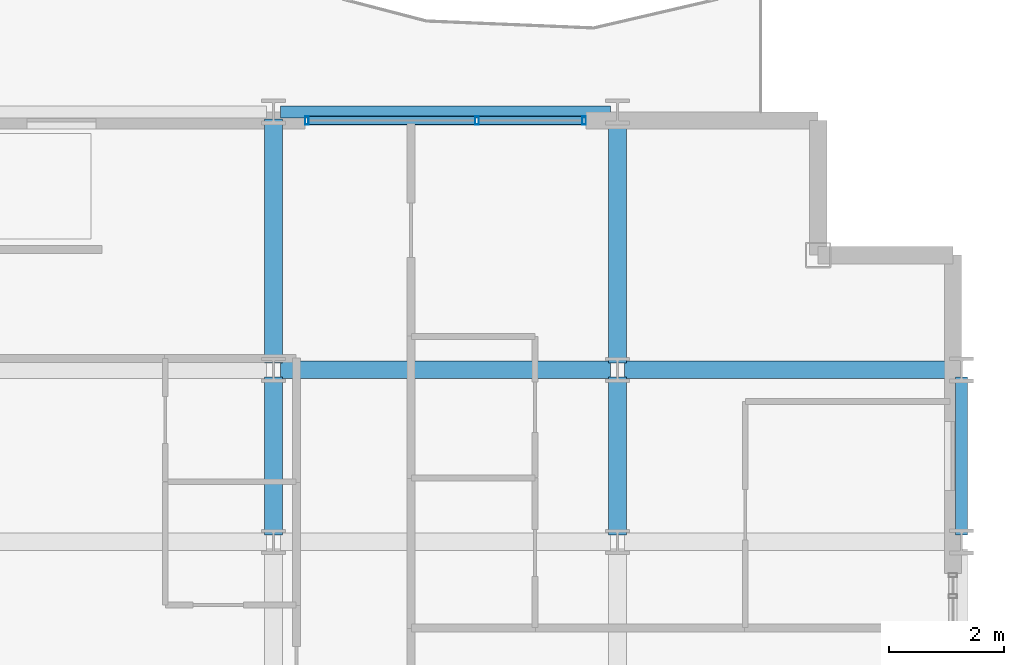
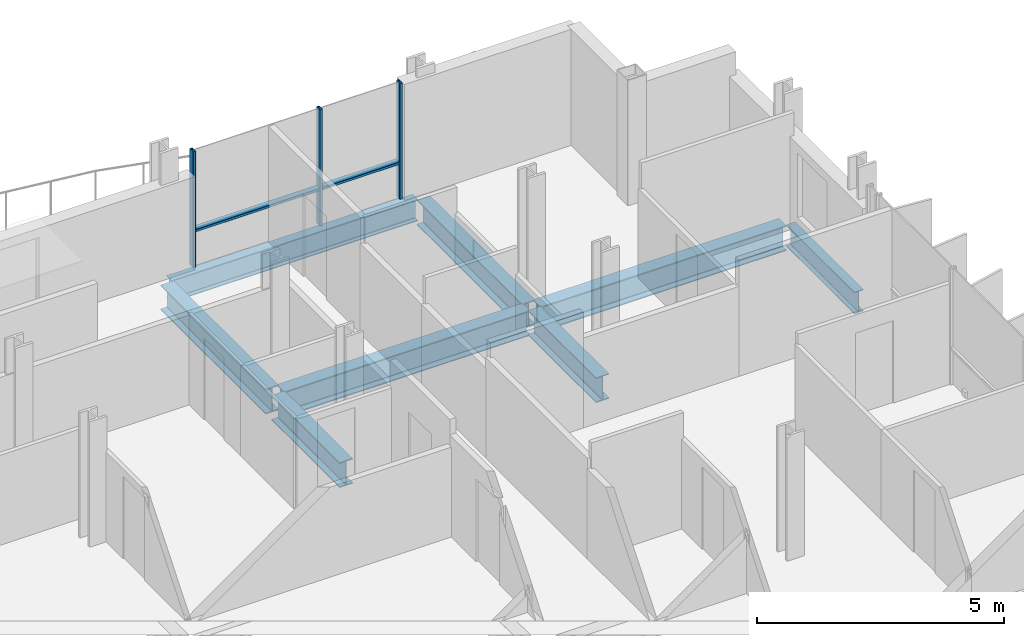
# One storey, part 20 of 38: 8 beams, 5 members, 1 element without a shape of its own.
"""IFC4 building model written with IfcOpenShell, lengths in metres."""

from ifc_helpers import new_model, si_unit, direction, frame, origin, origin_2d, place, context, subcontext, project, spatial, hollow_rectangle, i_section, extrude, material, layer, layer_set, material_profile, profile_set, type_object, element, aggregate, save


model = new_model("IFC4")

# Units and contexts
model_context = context("Model", 3, precision=1e-05, world=origin(), true_north=direction((0.0, 1.0)))
body_context = subcontext(model_context, "Body", "Model", "MODEL_VIEW")
ifc_project = project(units=[si_unit("LENGTHUNIT", "METRE"), si_unit("AREAUNIT", "SQUARE_METRE"), si_unit("VOLUMEUNIT", "CUBIC_METRE"), si_unit("PLANEANGLEUNIT", "RADIAN"), si_unit("MASSUNIT", "GRAM", prefix="KILO")], contexts=[model_context])

# Site, building, storey
site_placement = place(None, origin())
site = spatial("IfcSite", under=ifc_project, at=site_placement, CompositionType="ELEMENT")
building_placement = place(site_placement, origin())
building = spatial("IfcBuilding", under=site, at=building_placement, Name="Brevholm Reach", CompositionType="ELEMENT")
storey_placement = place(building_placement, frame((0.0, 0.0, 65.199951171875)))
storey = spatial("IfcBuildingStorey", under=building, at=storey_placement, Name="L18", CompositionType="ELEMENT", Elevation=65.199951171875)

# Beams
ifc_material_1 = material(Name="Structural Steel S355J2", Category="steel")
ifc_material_profile_1 = material_profile(ifc_material_1, i_section(OverallWidth=0.210693359375, OverallDepth=0.53955078125, WebThickness=0.01171875, FlangeThickness=0.018798828125, FilletRadius=0.0126953125, at=origin_2d()), Name="UKB 533x210x109")
ifc_profile_set_1 = profile_set([ifc_material_profile_1], Name="Structural Steel S355J2")
beam_type_1 = type_object("IfcBeamType", Name="BM-SP539", PredefinedType="SPANDREL", material=ifc_profile_set_1)
beam_1_placement = place(storey_placement, frame((48.1201171875, 31.0, -0.499755859375), z_axis=(1.0, 0.0, 0.0), x_axis=(0.0, 1.0, 0.0)))
element("IfcBeam", 1, at=beam_1_placement, inside=storey, type_object=beam_type_1, Name="L18 SP-01B Framing Beam", PredefinedType="SPANDREL", context=body_context, shape_type="SweptSolid", body=[
    extrude(i_section(OverallWidth=0.210693359375, OverallDepth=0.53955078125, WebThickness=0.01171875, FlangeThickness=0.018798828125, FilletRadius=0.0126953125, at=origin_2d()), origin(), (0.0, 0.0, 1.0), 5.759765625),
])
beam_2_placement = place(storey_placement, frame((60.0, 23.6201171875, -0.499755859375), z_axis=(0.0, 1.0, 0.0), x_axis=(-1.0, 0.0, 0.0)))
element("IfcBeam", 2, at=beam_2_placement, inside=storey, type_object=beam_type_1, Name="L18 SP-01B Framing Beam", PredefinedType="SPANDREL", context=body_context, shape_type="SweptSolid", body=[
    extrude(i_section(OverallWidth=0.210693359375, OverallDepth=0.53955078125, WebThickness=0.01171875, FlangeThickness=0.018798828125, FilletRadius=0.0126953125, at=origin_2d()), origin(), (0.0, 0.0, 1.0), 2.759765625),
])
ifc_material_2 = material(Name="Structural Steel S355J2", Category="steel")
ifc_material_profile_2 = material_profile(ifc_material_2, i_section(OverallWidth=0.30712890625, OverallDepth=0.6201171875, WebThickness=0.01416015625, FlangeThickness=0.023681640625, FilletRadius=0.0166015625, at=origin_2d()), Name="UKB 610x305x179")
ifc_profile_set_2 = profile_set([ifc_material_profile_2], Name="Structural Steel S355J2")
beam_type_2 = type_object("IfcBeamType", Name="BM-UKB610H", PredefinedType="USERDEFINED", material=ifc_profile_set_2)
for number, where, z_axis, x_axis, name in (
    (3, (48.1201171875, 26.5, -0.5400390625), (1.0, 0.0, 0.0), (0.0, 1.0, 0.0), "L18 G-06 Framing Beam"),
    (4, (54.1201171875, 26.5, -0.5400390625), (1.0, 0.0, 0.0), (0.0, 1.0, 0.0), "L18 G-06 Framing Beam"),
):
    element("IfcBeam", number, at=place(storey_placement, frame(where, z_axis=z_axis, x_axis=x_axis)), inside=storey, type_object=beam_type_2, Name=name, ObjectType="GIRDER", PredefinedType="USERDEFINED", context=body_context, shape_type="SweptSolid", body=[
        extrude(i_section(OverallWidth=0.30712890625, OverallDepth=0.6201171875, WebThickness=0.01416015625, FlangeThickness=0.023681640625, FilletRadius=0.0166015625, at=origin_2d()), origin(), (0.0, 0.0, 1.0), 5.759765625),
    ])
beam_3_placement = place(storey_placement, frame((48.0, 23.6201171875, -0.5400390625), z_axis=(0.0, 1.0, 0.0), x_axis=(-1.0, 0.0, 0.0)))
element("IfcBeam", 5, at=beam_3_placement, inside=storey, type_object=beam_type_2, Name="L18 G-06 Framing Beam", ObjectType="GIRDER", PredefinedType="USERDEFINED", context=body_context, shape_type="SweptSolid", body=[
    extrude(i_section(OverallWidth=0.30712890625, OverallDepth=0.6201171875, WebThickness=0.01416015625, FlangeThickness=0.023681640625, FilletRadius=0.0166015625, at=origin_2d()), origin(), (0.0, 0.0, 1.0), 2.759765625),
])
beam_4_placement = place(storey_placement, frame((48.0, 26.6201171875, -0.5400390625), z_axis=(0.0, 1.0, 0.0), x_axis=(-1.0, 0.0, 0.0)))
element("IfcBeam", 6, at=beam_4_placement, inside=storey, type_object=beam_type_2, Name="L18 G-06 Framing Beam", ObjectType="GIRDER", PredefinedType="USERDEFINED", context=body_context, shape_type="SweptSolid", body=[
    extrude(i_section(OverallWidth=0.30712890625, OverallDepth=0.6201171875, WebThickness=0.01416015625, FlangeThickness=0.023681640625, FilletRadius=0.0166015625, at=origin_2d()), origin(), (0.0, 0.0, 1.0), 4.259765625),
])
beam_5_placement = place(storey_placement, frame((54.0, 23.6201171875, -0.5400390625), z_axis=(0.0, 1.0, 0.0), x_axis=(-1.0, 0.0, 0.0)))
element("IfcBeam", 7, at=beam_5_placement, inside=storey, type_object=beam_type_2, Name="L18 G-06 Framing Beam", ObjectType="GIRDER", PredefinedType="USERDEFINED", context=body_context, shape_type="SweptSolid", body=[
    extrude(i_section(OverallWidth=0.30712890625, OverallDepth=0.6201171875, WebThickness=0.01416015625, FlangeThickness=0.023681640625, FilletRadius=0.0166015625, at=origin_2d()), origin(), (0.0, 0.0, 1.0), 2.759765625),
])
beam_6_placement = place(storey_placement, frame((54.0, 26.6201171875, -0.5400390625), z_axis=(0.0, 1.0, 0.0), x_axis=(-1.0, 0.0, 0.0)))
element("IfcBeam", 8, at=beam_6_placement, inside=storey, type_object=beam_type_2, Name="L18 G-06 Framing Beam", ObjectType="GIRDER", PredefinedType="USERDEFINED", context=body_context, shape_type="SweptSolid", body=[
    extrude(i_section(OverallWidth=0.30712890625, OverallDepth=0.6201171875, WebThickness=0.01416015625, FlangeThickness=0.023681640625, FilletRadius=0.0166015625, at=origin_2d()), origin(), (0.0, 0.0, 1.0), 4.259765625),
])

# Curtain wall, members
ifc_material_3 = material(Name="Dark Anodised Aluminium 6063-T6 and Solar-Control Glass", Category="aluminium")
ifc_layer = layer(ifc_material_3, 0.14990234375)
ifc_layer_set = layer_set([ifc_layer], Name="Dark Anodised Aluminium 6063-T6 and Solar-Control Glass")
curtain_wall_type = type_object("IfcCurtainWallType", Name="CW-01", PredefinedType="NOTDEFINED", material=ifc_layer_set)
curtain_wall_placement = place(storey_placement, origin())
curtain_wall = element("IfcCurtainWall", 9, at=curtain_wall_placement, inside=storey, type_object=curtain_wall_type, Name="L18 Curtain Wall CW-01", PredefinedType="NOTDEFINED")
ifc_material_4 = material(Name="Dark Anodised Aluminium 6063-T6", Category="aluminium")
ifc_material_profile_3 = material_profile(ifc_material_4, hollow_rectangle(XDim=0.06494140625, YDim=0.14990234375, WallThickness=0.0048828125, InnerFilletRadius=0.0048828125, OuterFilletRadius=0.010009765625, at=origin_2d()), Name="RHS 150x65x5")
ifc_profile_set_3 = profile_set([ifc_material_profile_3], Name="Dark Anodised Aluminium 6063-T6")
member_type_1 = type_object("IfcMemberType", Name="CWM-150", PredefinedType="MULLION", material=ifc_profile_set_3)
member_1_placement = place(storey_placement, frame((48.58251953125, 30.85009765625, 0.0), z_axis=(0.0, 0.0, 1.0), x_axis=(1.0, 0.0, 0.0)))
member_1 = element("IfcMember", 10, at=member_1_placement, type_object=member_type_1, Name="CM-150 Mullion 1", PredefinedType="MULLION", context=body_context, shape_type="SweptSolid", body=[
    extrude(hollow_rectangle(XDim=0.06494140625, YDim=0.14990234375, WallThickness=0.0048828125, InnerFilletRadius=0.0048828125, OuterFilletRadius=0.010009765625, at=origin_2d()), origin(), (0.0, 0.0, 1.0), 2.8701171875),
])
member_2_placement = place(storey_placement, frame((51.550048828125, 30.85009765625, 0.0), z_axis=(0.0, 0.0, 1.0), x_axis=(1.0, 0.0, 0.0)))
member_2 = element("IfcMember", 11, at=member_2_placement, type_object=member_type_1, Name="CM-150 Mullion 2", PredefinedType="MULLION", context=body_context, shape_type="SweptSolid", body=[
    extrude(hollow_rectangle(XDim=0.06494140625, YDim=0.14990234375, WallThickness=0.0048828125, InnerFilletRadius=0.0048828125, OuterFilletRadius=0.010009765625, at=origin_2d()), origin(), (0.0, 0.0, 1.0), 2.8701171875),
])
member_3_placement = place(storey_placement, frame((53.41748046875, 30.85009765625, 0.0), z_axis=(0.0, 0.0, 1.0), x_axis=(1.0, 0.0, 0.0)))
member_3 = element("IfcMember", 12, at=member_3_placement, type_object=member_type_1, Name="CM-150 Mullion 3", PredefinedType="MULLION", context=body_context, shape_type="SweptSolid", body=[
    extrude(hollow_rectangle(XDim=0.06494140625, YDim=0.14990234375, WallThickness=0.0048828125, InnerFilletRadius=0.0048828125, OuterFilletRadius=0.010009765625, at=origin_2d()), origin(), (0.0, 0.0, 1.0), 2.8701171875),
])
ifc_material_5 = material(Name="Dark Anodised Aluminium 6063-T6", Category="aluminium")
ifc_material_profile_4 = material_profile(ifc_material_5, hollow_rectangle(XDim=0.06494140625, YDim=0.14990234375, WallThickness=0.0048828125, InnerFilletRadius=0.0048828125, OuterFilletRadius=0.010009765625, at=origin_2d()), Name="RHS 150x65x5")
ifc_profile_set_4 = profile_set([ifc_material_profile_4], Name="Dark Anodised Aluminium 6063-T6")
member_type_2 = type_object("IfcMemberType", Name="CWT-150", PredefinedType="NOTDEFINED", material=ifc_profile_set_4)
member_4_placement = place(storey_placement, frame((48.614990234375, 30.85009765625, 0.900146484375), z_axis=(1.0, 0.0, 0.0), x_axis=(0.0, 0.0, 1.0)))
member_4 = element("IfcMember", 13, at=member_4_placement, type_object=member_type_2, Name="CT-150 Transom 1.1", ObjectType="TRANSOM", PredefinedType="USERDEFINED", context=body_context, shape_type="SweptSolid", body=[
    extrude(hollow_rectangle(XDim=0.06494140625, YDim=0.14990234375, WallThickness=0.0048828125, InnerFilletRadius=0.0048828125, OuterFilletRadius=0.010009765625, at=origin_2d()), origin(), (0.0, 0.0, 1.0), 2.902587890625),
])
member_5_placement = place(storey_placement, frame((51.58251953125, 30.85009765625, 0.900146484375), z_axis=(1.0, 0.0, 0.0), x_axis=(0.0, 0.0, 1.0)))
member_5 = element("IfcMember", 14, at=member_5_placement, type_object=member_type_2, Name="CT-150 Transom 2.1", ObjectType="TRANSOM", PredefinedType="USERDEFINED", context=body_context, shape_type="SweptSolid", body=[
    extrude(hollow_rectangle(XDim=0.06494140625, YDim=0.14990234375, WallThickness=0.0048828125, InnerFilletRadius=0.0048828125, OuterFilletRadius=0.010009765625, at=origin_2d()), origin(), (0.0, 0.0, 1.0), 1.802490234375),
])
aggregate(curtain_wall, [member_1, member_2, member_3, member_4, member_5])

save(model, "model.ifc")
